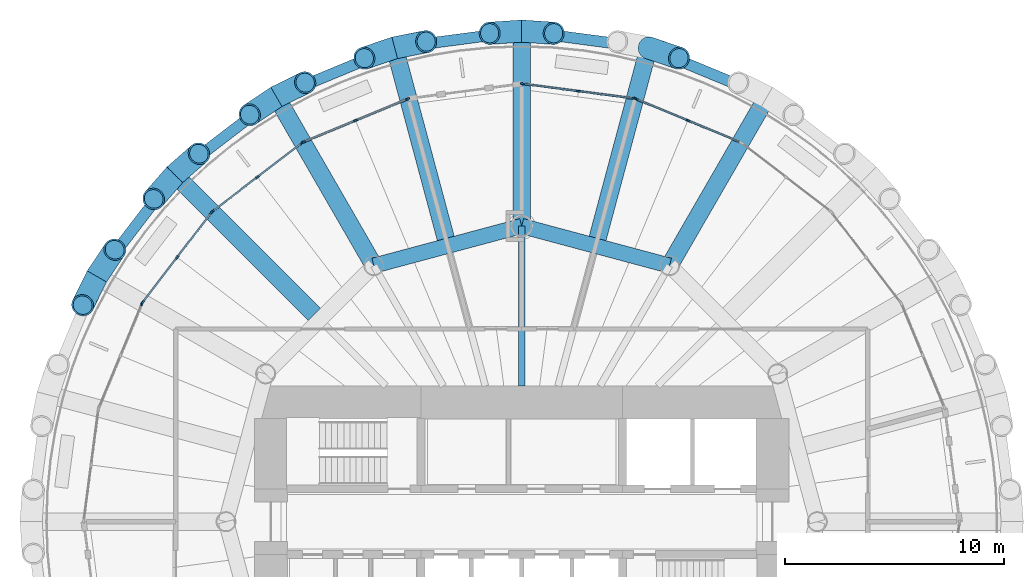
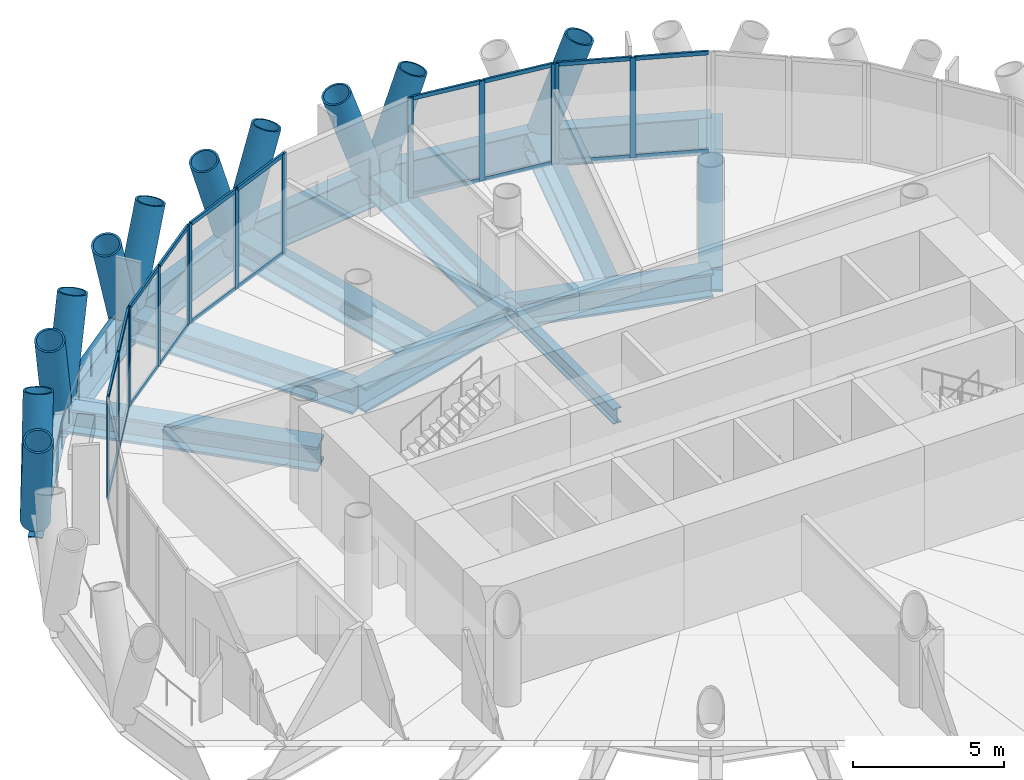
# One storey, part 5 of 13: 46 members, 15 beams, 6 elements without a shape of their own.
"""IFC4 building model written with IfcOpenShell, lengths in metres."""

from ifc_helpers import new_model, si_unit, direction, frame, origin, origin_2d, place, context, subcontext, project, spatial, rectangle, hollow_circle, i_section, extrude, material, material_profile, profile_set, type_object, element, aggregate, save


model = new_model("IFC4")

# Units and contexts
model_context = context("Model", 3, precision=1e-05, world=origin(), true_north=direction((0.0, 1.0)))
body_context = subcontext(model_context, "Body", "Model", "MODEL_VIEW")
ifc_project = project(units=[si_unit("LENGTHUNIT", "METRE"), si_unit("AREAUNIT", "SQUARE_METRE"), si_unit("VOLUMEUNIT", "CUBIC_METRE"), si_unit("PLANEANGLEUNIT", "RADIAN"), si_unit("MASSUNIT", "GRAM", prefix="KILO")], contexts=[model_context])

# Site, building, storey
site_placement = place(None, origin())
site = spatial("IfcSite", under=ifc_project, at=site_placement, CompositionType="ELEMENT")
building_placement = place(site_placement, origin())
building = spatial("IfcBuilding", under=site, at=building_placement, Name="Qaws Media Tower", CompositionType="ELEMENT")
storey_placement = place(building_placement, frame((0.0, 0.0, 244.39990234375)))
storey = spatial("IfcBuildingStorey", under=building, at=storey_placement, Name="L56", CompositionType="ELEMENT", Elevation=244.39990234375)

# Curtain wall, members
ifc_material_1 = material(Name="Aluminium and clear glass", Category="aluminium")
curtain_wall_type = type_object("IfcCurtainWallType", Name="Unitised curtain wall CW-C", PredefinedType="NOTDEFINED", material=ifc_material_1)
curtain_wall_1_placement = place(storey_placement, origin())
curtain_wall_1 = element("IfcCurtainWall", 1, at=curtain_wall_1_placement, inside=storey, type_object=curtain_wall_type, Name="CWC curtain wall L56-05", PredefinedType="NOTDEFINED")
ifc_material_2 = material(Name="Aluminium mullion", Category="aluminium")
ifc_material_profile_1 = material_profile(ifc_material_2, rectangle(XDim=0.080078125, YDim=0.199951171875, at=origin_2d()), Name="80x200")
ifc_profile_set_1 = profile_set([ifc_material_profile_1], Name="Aluminium mullion")
member_type_1 = type_object("IfcMemberType", Name="Curtain wall mullion 80x200", PredefinedType="MULLION", material=ifc_profile_set_1)
member_1_placement = place(storey_placement, frame((67.588134765625, 68.319580078125, 0.0), z_axis=(0.0, 0.0, 1.0), x_axis=(-0.382683528904, -0.923879492524, 0.0)))
member_1 = element("IfcMember", 2, at=member_1_placement, type_object=member_type_1, Name="CWC mullion 2", PredefinedType="MULLION", context=body_context, shape_type="SweptSolid", body=[
    extrude(rectangle(XDim=0.080078125, YDim=0.199951171875, at=origin_2d()), origin(), (0.0, 0.0, 1.0), 4.0400390625),
])
member_2_placement = place(storey_placement, frame((65.21337890625, 69.30322265625, 0.0), z_axis=(0.0, 0.0, 1.0), x_axis=(-0.382683528904, -0.923879492524, 0.0)))
member_2 = element("IfcMember", 3, at=member_2_placement, type_object=member_type_1, Name="CWC mullion 3", PredefinedType="MULLION", context=body_context, shape_type="SweptSolid", body=[
    extrude(rectangle(XDim=0.080078125, YDim=0.199951171875, at=origin_2d()), origin(), (0.0, 0.0, 1.0), 4.0400390625),
])

curtain_wall_2_placement = place(storey_placement, origin())
curtain_wall_2 = element("IfcCurtainWall", 4, at=curtain_wall_2_placement, inside=storey, type_object=curtain_wall_type, Name="CWC curtain wall L56-06", PredefinedType="NOTDEFINED")
member_3_placement = place(storey_placement, frame((65.13671875, 69.32373046875, 0.0), z_axis=(0.0, 0.0, 1.0), x_axis=(-0.130526100509, -0.991444873448, 0.0)))
member_3 = element("IfcMember", 5, at=member_3_placement, type_object=member_type_1, Name="CWC mullion 1", PredefinedType="MULLION", context=body_context, shape_type="SweptSolid", body=[
    extrude(rectangle(XDim=0.080078125, YDim=0.199951171875, at=origin_2d()), origin(), (0.0, 0.0, 1.0), 4.0400390625),
])
member_4_placement = place(storey_placement, frame((62.588134765625, 69.6591796875, 0.0), z_axis=(0.0, 0.0, 1.0), x_axis=(-0.130526100509, -0.991444873448, 0.0)))
member_4 = element("IfcMember", 6, at=member_4_placement, type_object=member_type_1, Name="CWC mullion 2", PredefinedType="MULLION", context=body_context, shape_type="SweptSolid", body=[
    extrude(rectangle(XDim=0.080078125, YDim=0.199951171875, at=origin_2d()), origin(), (0.0, 0.0, 1.0), 4.0400390625),
])
member_5_placement = place(storey_placement, frame((60.03955078125, 69.994873046875, 0.0), z_axis=(0.0, 0.0, 1.0), x_axis=(-0.130526100509, -0.991444873448, 0.0)))
member_5 = element("IfcMember", 7, at=member_5_placement, type_object=member_type_1, Name="CWC mullion 3", PredefinedType="MULLION", context=body_context, shape_type="SweptSolid", body=[
    extrude(rectangle(XDim=0.080078125, YDim=0.199951171875, at=origin_2d()), origin(), (0.0, 0.0, 1.0), 4.0400390625),
])

curtain_wall_3_placement = place(storey_placement, origin())
curtain_wall_3 = element("IfcCurtainWall", 8, at=curtain_wall_3_placement, inside=storey, type_object=curtain_wall_type, Name="CWC curtain wall L56-08", PredefinedType="NOTDEFINED")
member_6_placement = place(storey_placement, frame((54.78662109375, 69.30322265625, 0.0), z_axis=(0.0, 0.0, 1.0), x_axis=(0.382683528904, -0.923879492524, 0.0)))
member_6 = element("IfcMember", 9, at=member_6_placement, type_object=member_type_1, Name="CWC mullion 1", PredefinedType="MULLION", context=body_context, shape_type="SweptSolid", body=[
    extrude(rectangle(XDim=0.080078125, YDim=0.199951171875, at=origin_2d()), origin(), (0.0, 0.0, 1.0), 4.0400390625),
])
member_7_placement = place(storey_placement, frame((52.411865234375, 68.319580078125, 0.0), z_axis=(0.0, 0.0, 1.0), x_axis=(0.382683528904, -0.923879492524, 0.0)))
member_7 = element("IfcMember", 10, at=member_7_placement, type_object=member_type_1, Name="CWC mullion 2", PredefinedType="MULLION", context=body_context, shape_type="SweptSolid", body=[
    extrude(rectangle(XDim=0.080078125, YDim=0.199951171875, at=origin_2d()), origin(), (0.0, 0.0, 1.0), 4.0400390625),
])
member_8_placement = place(storey_placement, frame((50.036865234375, 67.335693359375, 0.0), z_axis=(0.0, 0.0, 1.0), x_axis=(0.382683528904, -0.923879492524, 0.0)))
member_8 = element("IfcMember", 11, at=member_8_placement, type_object=member_type_1, Name="CWC mullion 3", PredefinedType="MULLION", context=body_context, shape_type="SweptSolid", body=[
    extrude(rectangle(XDim=0.080078125, YDim=0.199951171875, at=origin_2d()), origin(), (0.0, 0.0, 1.0), 4.0400390625),
])

curtain_wall_4_placement = place(storey_placement, origin())
curtain_wall_4 = element("IfcCurtainWall", 12, at=curtain_wall_4_placement, inside=storey, type_object=curtain_wall_type, Name="CWC curtain wall L56-09", PredefinedType="NOTDEFINED")
member_9_placement = place(storey_placement, frame((49.96826171875, 67.296142578125, 0.0), z_axis=(0.0, 0.0, 1.0), x_axis=(0.608761339712, -0.793353408811, 0.0)))
member_9 = element("IfcMember", 13, at=member_9_placement, type_object=member_type_1, Name="CWC mullion 1", PredefinedType="MULLION", context=body_context, shape_type="SweptSolid", body=[
    extrude(rectangle(XDim=0.080078125, YDim=0.199951171875, at=origin_2d()), origin(), (0.0, 0.0, 1.0), 4.0400390625),
])
member_10_placement = place(storey_placement, frame((47.928955078125, 65.731201171875, 0.0), z_axis=(0.0, 0.0, 1.0), x_axis=(0.608761339712, -0.793353408811, 0.0)))
member_10 = element("IfcMember", 14, at=member_10_placement, type_object=member_type_1, Name="CWC mullion 2", PredefinedType="MULLION", context=body_context, shape_type="SweptSolid", body=[
    extrude(rectangle(XDim=0.080078125, YDim=0.199951171875, at=origin_2d()), origin(), (0.0, 0.0, 1.0), 4.0400390625),
])
member_11_placement = place(storey_placement, frame((45.8896484375, 64.16650390625, 0.0), z_axis=(0.0, 0.0, 1.0), x_axis=(0.608761339712, -0.793353408811, 0.0)))
member_11 = element("IfcMember", 15, at=member_11_placement, type_object=member_type_1, Name="CWC mullion 3", PredefinedType="MULLION", context=body_context, shape_type="SweptSolid", body=[
    extrude(rectangle(XDim=0.080078125, YDim=0.199951171875, at=origin_2d()), origin(), (0.0, 0.0, 1.0), 4.0400390625),
])

curtain_wall_5_placement = place(storey_placement, origin())
curtain_wall_5 = element("IfcCurtainWall", 16, at=curtain_wall_5_placement, inside=storey, type_object=curtain_wall_type, Name="CWC curtain wall L56-10", PredefinedType="NOTDEFINED")
member_12_placement = place(storey_placement, frame((45.83349609375, 64.1103515625, 0.0), z_axis=(0.0, 0.0, 1.0), x_axis=(0.793353408811, -0.608761339712, 0.0)))
member_12 = element("IfcMember", 17, at=member_12_placement, type_object=member_type_1, Name="CWC mullion 1", PredefinedType="MULLION", context=body_context, shape_type="SweptSolid", body=[
    extrude(rectangle(XDim=0.080078125, YDim=0.199951171875, at=origin_2d()), origin(), (0.0, 0.0, 1.0), 4.0400390625),
])
member_13_placement = place(storey_placement, frame((44.268798828125, 62.071044921875, 0.0), z_axis=(0.0, 0.0, 1.0), x_axis=(0.793353408811, -0.608761339712, 0.0)))
member_13 = element("IfcMember", 18, at=member_13_placement, type_object=member_type_1, Name="CWC mullion 2", PredefinedType="MULLION", context=body_context, shape_type="SweptSolid", body=[
    extrude(rectangle(XDim=0.080078125, YDim=0.199951171875, at=origin_2d()), origin(), (0.0, 0.0, 1.0), 4.0400390625),
])
member_14_placement = place(storey_placement, frame((42.703857421875, 60.03173828125, 0.0), z_axis=(0.0, 0.0, 1.0), x_axis=(0.793353408811, -0.608761339712, 0.0)))
member_14 = element("IfcMember", 19, at=member_14_placement, type_object=member_type_1, Name="CWC mullion 3", PredefinedType="MULLION", context=body_context, shape_type="SweptSolid", body=[
    extrude(rectangle(XDim=0.080078125, YDim=0.199951171875, at=origin_2d()), origin(), (0.0, 0.0, 1.0), 4.0400390625),
])

# Curtain wall, member
curtain_wall_6_placement = place(storey_placement, origin())
curtain_wall_6 = element("IfcCurtainWall", 20, at=curtain_wall_6_placement, inside=storey, type_object=curtain_wall_type, Name="CWC curtain wall L56-11", PredefinedType="NOTDEFINED")
member_15_placement = place(storey_placement, frame((42.664306640625, 59.963134765625, 0.0), z_axis=(0.0, 0.0, 1.0), x_axis=(0.923879492524, -0.382683528904, 0.0)))
member_15 = element("IfcMember", 21, at=member_15_placement, type_object=member_type_1, Name="CWC mullion 1", PredefinedType="MULLION", context=body_context, shape_type="SweptSolid", body=[
    extrude(rectangle(XDim=0.080078125, YDim=0.199951171875, at=origin_2d()), origin(), (0.0, 0.0, 1.0), 4.0400390625),
])
aggregate(curtain_wall_6, [member_15])

# Member
ifc_material_3 = material(Name="Aluminium transom", Category="aluminium")
ifc_material_profile_2 = material_profile(ifc_material_3, rectangle(XDim=0.080078125, YDim=0.159912109375, at=origin_2d()), Name="80x160")
ifc_profile_set_2 = profile_set([ifc_material_profile_2], Name="Aluminium transom")
member_type_2 = type_object("IfcMemberType", Name="Curtain wall transom 80x160", PredefinedType="USERDEFINED", material=ifc_profile_set_2)
member_16_placement = place(storey_placement, frame((69.926025390625, 67.35107421875, 0.0400390625), z_axis=(-0.923863886655, 0.382721202621, 0.0), x_axis=(-0.382721202621, -0.923863886655, 0.0)))
member_16 = element("IfcMember", 22, at=member_16_placement, type_object=member_type_2, Name="CWC transom 1.1", ObjectType="TRANSOM", PredefinedType="USERDEFINED", context=body_context, shape_type="SweptSolid", body=[
    extrude(rectangle(XDim=0.080078125, YDim=0.159912109375, at=origin_2d()), origin(), (0.0, 0.0, 1.0), 2.490478515625),
])

member_17_placement = place(storey_placement, frame((69.926025390625, 67.35107421875, 4.0), z_axis=(-0.923863886655, 0.382721202621, 0.0), x_axis=(-0.382721202621, -0.923863886655, 0.0)))
member_17 = element("IfcMember", 23, at=member_17_placement, type_object=member_type_2, Name="CWC transom 1.2", ObjectType="TRANSOM", PredefinedType="USERDEFINED", context=body_context, shape_type="SweptSolid", body=[
    extrude(rectangle(XDim=0.080078125, YDim=0.159912109375, at=origin_2d()), origin(), (0.0, 0.0, 1.0), 2.490478515625),
])

member_18_placement = place(storey_placement, frame((67.55126953125, 68.334716796875, 0.0400390625), z_axis=(-0.923878244152, 0.382686542724, 0.0), x_axis=(-0.382686542724, -0.923878244152, 0.0)))
member_18 = element("IfcMember", 24, at=member_18_placement, type_object=member_type_2, Name="CWC transom 2.1", ObjectType="TRANSOM", PredefinedType="USERDEFINED", context=body_context, shape_type="SweptSolid", body=[
    extrude(rectangle(XDim=0.080078125, YDim=0.159912109375, at=origin_2d()), origin(), (0.0, 0.0, 1.0), 2.49072265625),
])

member_19_placement = place(storey_placement, frame((67.55126953125, 68.334716796875, 4.0), z_axis=(-0.923878244152, 0.382686542724, 0.0), x_axis=(-0.382686542724, -0.923878244152, 0.0)))
member_19 = element("IfcMember", 25, at=member_19_placement, type_object=member_type_2, Name="CWC transom 2.2", ObjectType="TRANSOM", PredefinedType="USERDEFINED", context=body_context, shape_type="SweptSolid", body=[
    extrude(rectangle(XDim=0.080078125, YDim=0.159912109375, at=origin_2d()), origin(), (0.0, 0.0, 1.0), 2.49072265625),
])

aggregate(curtain_wall_1, [member_1, member_2, member_16, member_17, member_18, member_19])

member_20_placement = place(storey_placement, frame((65.09716796875, 69.328857421875, 0.0400390625), z_axis=(-0.991438940777, 0.130571155736, 0.0), x_axis=(-0.130571155736, -0.991438940777, 0.0)))
member_20 = element("IfcMember", 26, at=member_20_placement, type_object=member_type_2, Name="CWC transom 1.1", ObjectType="TRANSOM", PredefinedType="USERDEFINED", context=body_context, shape_type="SweptSolid", body=[
    extrude(rectangle(XDim=0.080078125, YDim=0.159912109375, at=origin_2d()), origin(), (0.0, 0.0, 1.0), 2.490478515625),
])

member_21_placement = place(storey_placement, frame((65.09716796875, 69.328857421875, 4.0), z_axis=(-0.991438940777, 0.130571155736, 0.0), x_axis=(-0.130571155736, -0.991438940777, 0.0)))
member_21 = element("IfcMember", 27, at=member_21_placement, type_object=member_type_2, Name="CWC transom 1.2", ObjectType="TRANSOM", PredefinedType="USERDEFINED", context=body_context, shape_type="SweptSolid", body=[
    extrude(rectangle(XDim=0.080078125, YDim=0.159912109375, at=origin_2d()), origin(), (0.0, 0.0, 1.0), 2.490478515625),
])

member_22_placement = place(storey_placement, frame((62.548583984375, 69.66455078125, 0.0400390625), z_axis=(-0.9914516261, 0.130474798728, 0.0), x_axis=(-0.130474798728, -0.9914516261, 0.0)))
member_22 = element("IfcMember", 28, at=member_22_placement, type_object=member_type_2, Name="CWC transom 2.1", ObjectType="TRANSOM", PredefinedType="USERDEFINED", context=body_context, shape_type="SweptSolid", body=[
    extrude(rectangle(XDim=0.080078125, YDim=0.159912109375, at=origin_2d()), origin(), (0.0, 0.0, 1.0), 2.490478515625),
])

member_23_placement = place(storey_placement, frame((62.548583984375, 69.66455078125, 4.0), z_axis=(-0.9914516261, 0.130474798728, 0.0), x_axis=(-0.130474798728, -0.9914516261, 0.0)))
member_23 = element("IfcMember", 29, at=member_23_placement, type_object=member_type_2, Name="CWC transom 2.2", ObjectType="TRANSOM", PredefinedType="USERDEFINED", context=body_context, shape_type="SweptSolid", body=[
    extrude(rectangle(XDim=0.080078125, YDim=0.159912109375, at=origin_2d()), origin(), (0.0, 0.0, 1.0), 2.490478515625),
])

aggregate(curtain_wall_2, [member_3, member_4, member_5, member_20, member_21, member_22, member_23])

member_24_placement = place(storey_placement, frame((54.749755859375, 69.287841796875, 0.0400390625), z_axis=(-0.923878244152, -0.382686542724, 0.0), x_axis=(0.382686542724, -0.923878244152, 0.0)))
member_24 = element("IfcMember", 30, at=member_24_placement, type_object=member_type_2, Name="CWC transom 1.1", ObjectType="TRANSOM", PredefinedType="USERDEFINED", context=body_context, shape_type="SweptSolid", body=[
    extrude(rectangle(XDim=0.080078125, YDim=0.159912109375, at=origin_2d()), origin(), (0.0, 0.0, 1.0), 2.49072265625),
])

member_25_placement = place(storey_placement, frame((54.749755859375, 69.287841796875, 4.0), z_axis=(-0.923878244152, -0.382686542724, 0.0), x_axis=(0.382686542724, -0.923878244152, 0.0)))
member_25 = element("IfcMember", 31, at=member_25_placement, type_object=member_type_2, Name="CWC transom 1.2", ObjectType="TRANSOM", PredefinedType="USERDEFINED", context=body_context, shape_type="SweptSolid", body=[
    extrude(rectangle(XDim=0.080078125, YDim=0.159912109375, at=origin_2d()), origin(), (0.0, 0.0, 1.0), 2.49072265625),
])

member_26_placement = place(storey_placement, frame((52.374755859375, 68.30419921875, 0.0400390625), z_axis=(-0.923863886655, -0.382721202621, 0.0), x_axis=(0.382721202621, -0.923863886655, 0.0)))
member_26 = element("IfcMember", 32, at=member_26_placement, type_object=member_type_2, Name="CWC transom 2.1", ObjectType="TRANSOM", PredefinedType="USERDEFINED", context=body_context, shape_type="SweptSolid", body=[
    extrude(rectangle(XDim=0.080078125, YDim=0.159912109375, at=origin_2d()), origin(), (0.0, 0.0, 1.0), 2.490478515625),
])

member_27_placement = place(storey_placement, frame((52.374755859375, 68.30419921875, 4.0), z_axis=(-0.923863886655, -0.382721202621, 0.0), x_axis=(0.382721202621, -0.923863886655, 0.0)))
member_27 = element("IfcMember", 33, at=member_27_placement, type_object=member_type_2, Name="CWC transom 2.2", ObjectType="TRANSOM", PredefinedType="USERDEFINED", context=body_context, shape_type="SweptSolid", body=[
    extrude(rectangle(XDim=0.080078125, YDim=0.159912109375, at=origin_2d()), origin(), (0.0, 0.0, 1.0), 2.490478515625),
])

aggregate(curtain_wall_3, [member_6, member_7, member_8, member_24, member_25, member_26, member_27])

member_28_placement = place(storey_placement, frame((49.9365234375, 67.271728515625, 0.0400390625), z_axis=(-0.793352266217, -0.608762828767, 0.0), x_axis=(0.608762828767, -0.793352266217, 0.0)))
member_28 = element("IfcMember", 34, at=member_28_placement, type_object=member_type_2, Name="CWC transom 1.1", ObjectType="TRANSOM", PredefinedType="USERDEFINED", context=body_context, shape_type="SweptSolid", body=[
    extrude(rectangle(XDim=0.080078125, YDim=0.159912109375, at=origin_2d()), origin(), (0.0, 0.0, 1.0), 2.490478515625),
])

member_29_placement = place(storey_placement, frame((49.9365234375, 67.271728515625, 4.0), z_axis=(-0.793352266217, -0.608762828767, 0.0), x_axis=(0.608762828767, -0.793352266217, 0.0)))
member_29 = element("IfcMember", 35, at=member_29_placement, type_object=member_type_2, Name="CWC transom 1.2", ObjectType="TRANSOM", PredefinedType="USERDEFINED", context=body_context, shape_type="SweptSolid", body=[
    extrude(rectangle(XDim=0.080078125, YDim=0.159912109375, at=origin_2d()), origin(), (0.0, 0.0, 1.0), 2.490478515625),
])

member_30_placement = place(storey_placement, frame((47.897216796875, 65.70703125, 0.0400390625), z_axis=(-0.793352266217, -0.608762828767, 0.0), x_axis=(0.608762828767, -0.793352266217, 0.0)))
member_30 = element("IfcMember", 36, at=member_30_placement, type_object=member_type_2, Name="CWC transom 2.1", ObjectType="TRANSOM", PredefinedType="USERDEFINED", context=body_context, shape_type="SweptSolid", body=[
    extrude(rectangle(XDim=0.080078125, YDim=0.159912109375, at=origin_2d()), origin(), (0.0, 0.0, 1.0), 2.490478515625),
])

member_31_placement = place(storey_placement, frame((47.897216796875, 65.70703125, 4.0), z_axis=(-0.793352266217, -0.608762828767, 0.0), x_axis=(0.608762828767, -0.793352266217, 0.0)))
member_31 = element("IfcMember", 37, at=member_31_placement, type_object=member_type_2, Name="CWC transom 2.2", ObjectType="TRANSOM", PredefinedType="USERDEFINED", context=body_context, shape_type="SweptSolid", body=[
    extrude(rectangle(XDim=0.080078125, YDim=0.159912109375, at=origin_2d()), origin(), (0.0, 0.0, 1.0), 2.490478515625),
])

aggregate(curtain_wall_4, [member_9, member_10, member_11, member_28, member_29, member_30, member_31])

member_32_placement = place(storey_placement, frame((45.80908203125, 64.07861328125, 0.0400390625), z_axis=(-0.608762828767, -0.793352266217, 0.0), x_axis=(0.793352266217, -0.608762828767, 0.0)))
member_32 = element("IfcMember", 38, at=member_32_placement, type_object=member_type_2, Name="CWC transom 1.1", ObjectType="TRANSOM", PredefinedType="USERDEFINED", context=body_context, shape_type="SweptSolid", body=[
    extrude(rectangle(XDim=0.080078125, YDim=0.159912109375, at=origin_2d()), origin(), (0.0, 0.0, 1.0), 2.490478515625),
])

member_33_placement = place(storey_placement, frame((45.80908203125, 64.07861328125, 4.0), z_axis=(-0.608762828767, -0.793352266217, 0.0), x_axis=(0.793352266217, -0.608762828767, 0.0)))
member_33 = element("IfcMember", 39, at=member_33_placement, type_object=member_type_2, Name="CWC transom 1.2", ObjectType="TRANSOM", PredefinedType="USERDEFINED", context=body_context, shape_type="SweptSolid", body=[
    extrude(rectangle(XDim=0.080078125, YDim=0.159912109375, at=origin_2d()), origin(), (0.0, 0.0, 1.0), 2.490478515625),
])

member_34_placement = place(storey_placement, frame((44.244384765625, 62.039306640625, 0.0400390625), z_axis=(-0.608762828767, -0.793352266217, 0.0), x_axis=(0.793352266217, -0.608762828767, 0.0)))
member_34 = element("IfcMember", 40, at=member_34_placement, type_object=member_type_2, Name="CWC transom 2.1", ObjectType="TRANSOM", PredefinedType="USERDEFINED", context=body_context, shape_type="SweptSolid", body=[
    extrude(rectangle(XDim=0.080078125, YDim=0.159912109375, at=origin_2d()), origin(), (0.0, 0.0, 1.0), 2.490478515625),
])

member_35_placement = place(storey_placement, frame((44.244384765625, 62.039306640625, 4.0), z_axis=(-0.608762828767, -0.793352266217, 0.0), x_axis=(0.793352266217, -0.608762828767, 0.0)))
member_35 = element("IfcMember", 41, at=member_35_placement, type_object=member_type_2, Name="CWC transom 2.2", ObjectType="TRANSOM", PredefinedType="USERDEFINED", context=body_context, shape_type="SweptSolid", body=[
    extrude(rectangle(XDim=0.080078125, YDim=0.159912109375, at=origin_2d()), origin(), (0.0, 0.0, 1.0), 2.490478515625),
])

aggregate(curtain_wall_5, [member_12, member_13, member_14, member_32, member_33, member_34, member_35])

# Members
ifc_material_4 = material(Name="Steel S460", Category="steel")
ifc_material_profile_3 = material_profile(ifc_material_4, hollow_circle(Radius=0.508056640625, WallThickness=0.070068359375, at=origin_2d()), Name="CHS 1016x70")
ifc_profile_set_3 = profile_set([ifc_material_profile_3], Name="Steel S460")
member_type_3 = type_object("IfcMemberType", Name="Diagrid member CHS 1016x70", PredefinedType="USERDEFINED", material=ifc_profile_set_3)
for number, where, z_axis, x_axis, name in (
    (42, (65.797607421875, 71.63671875, -0.909912109375), (0.311700863625, -0.106315297208, 0.944213762447), (0.322819837953, 0.946460433523, 0.0), "DG3 diagrid L56 B06"),
    (43, (60.0, 72.39990234375, -0.909912109375), (-0.328605355286, -0.021954591968, 0.944212114077), (0.066662806817, -0.997775561029, 0.0), "DG3 diagrid L56 A07"),
    (44, (60.0, 72.39990234375, -0.909912109375), (0.328605355286, -0.021954591968, 0.944212114077), (0.066662806817, 0.997775561029, 0.0), "DG3 diagrid L56 B07"),
    (45, (54.202392578125, 71.63671875, -0.909912109375), (-0.311700863625, -0.106315297208, 0.944213762447), (0.322819837953, -0.946460433523, 0.0), "DG3 diagrid L56 A08"),
):
    element("IfcMember", number, at=place(storey_placement, frame(where, z_axis=z_axis, x_axis=x_axis)), inside=storey, type_object=member_type_3, Name=name, ObjectType="DIAGRID", PredefinedType="USERDEFINED", context=body_context, shape_type="SweptSolid", body=[
        extrude(hollow_circle(Radius=0.508056640625, WallThickness=0.070068359375, at=origin_2d()), origin(), (0.0, 0.0, 1.0), 4.447998046875),
    ])
for number, where, z_axis, x_axis, name in (
    (46, (54.202392578125, 71.63671875, -0.909912109375), (0.323114191577, 0.063832479158, 0.944204762647), (-0.193808199116, 0.981039439551, 0.0), "DG3 diagrid L56 B08"),
    (47, (48.800048828125, 69.39892578125, -0.909912109375), (-0.273605666565, -0.183373426679, 0.944200257155), (0.556736639669, -0.830689059787, 0.0), "DG3 diagrid L56 A09"),
):
    element("IfcMember", number, at=place(storey_placement, frame(where, z_axis=z_axis, x_axis=x_axis)), inside=storey, type_object=member_type_3, Name=name, ObjectType="DIAGRID", PredefinedType="USERDEFINED", context=body_context, shape_type="SweptSolid", body=[
        extrude(hollow_circle(Radius=0.508056640625, WallThickness=0.070068359375, at=origin_2d()), origin(), (0.0, 0.0, 1.0), 4.4482421875),
    ])
member_36_placement = place(storey_placement, frame((48.800048828125, 69.39892578125, -0.909912109375), z_axis=(0.295563398318, 0.145284366824, 0.944211168294), x_axis=(-0.441137050209, 0.897439748915, 0.0)))
element("IfcMember", 48, at=member_36_placement, inside=storey, type_object=member_type_3, Name="DG3 diagrid L56 B09", ObjectType="DIAGRID", PredefinedType="USERDEFINED", context=body_context, shape_type="SweptSolid", body=[
    extrude(hollow_circle(Radius=0.508056640625, WallThickness=0.070068359375, at=origin_2d()), origin(), (0.0, 0.0, 1.0), 4.447998046875),
])
for number, where, z_axis, x_axis, name in (
    (49, (44.160888671875, 65.839111328125, -0.909912109375), (-0.216853372267, -0.247918674394, 0.944198573301), (0.752690231252, -0.65837482924, 0.0), "DG3 diagrid L56 A10"),
    (50, (44.160888671875, 65.839111328125, -0.909912109375), (0.247918674394, 0.216853372267, 0.944198573301), (-0.65837482924, 0.752690231252, 0.0), "DG3 diagrid L56 B10"),
):
    element("IfcMember", number, at=place(storey_placement, frame(where, z_axis=z_axis, x_axis=x_axis)), inside=storey, type_object=member_type_3, Name=name, ObjectType="DIAGRID", PredefinedType="USERDEFINED", context=body_context, shape_type="SweptSolid", body=[
        extrude(hollow_circle(Radius=0.508056640625, WallThickness=0.070068359375, at=origin_2d()), origin(), (0.0, 0.0, 1.0), 4.4482421875),
    ])
member_37_placement = place(storey_placement, frame((40.60107421875, 61.199951171875, -0.909912109375), z_axis=(-0.145284366824, -0.295563398318, 0.944211168294), x_axis=(0.897439748915, -0.441137050209, 0.0)))
element("IfcMember", 51, at=member_37_placement, inside=storey, type_object=member_type_3, Name="DG3 diagrid L56 A11", ObjectType="DIAGRID", PredefinedType="USERDEFINED", context=body_context, shape_type="SweptSolid", body=[
    extrude(hollow_circle(Radius=0.508056640625, WallThickness=0.070068359375, at=origin_2d()), origin(), (0.0, 0.0, 1.0), 4.447998046875),
])
member_38_placement = place(storey_placement, frame((40.60107421875, 61.199951171875, -0.909912109375), z_axis=(0.183373426679, 0.273605666565, 0.944200257155), x_axis=(-0.830689059787, 0.556736639669, 0.0)))
element("IfcMember", 52, at=member_38_placement, inside=storey, type_object=member_type_3, Name="DG3 diagrid L56 B11", ObjectType="DIAGRID", PredefinedType="USERDEFINED", context=body_context, shape_type="SweptSolid", body=[
    extrude(hollow_circle(Radius=0.508056640625, WallThickness=0.070068359375, at=origin_2d()), origin(), (0.0, 0.0, 1.0), 4.4482421875),
])

# Beams
ifc_material_5 = material(Name="Steel S460", Category="steel")
ifc_material_profile_4 = material_profile(ifc_material_5, i_section(OverallWidth=0.5, OverallDepth=1.5, WebThickness=0.02001953125, FlangeThickness=0.0400390625, at=origin_2d()), Name="PG 1500x500")
ifc_profile_set_4 = profile_set([ifc_material_profile_4], Name="Steel S460")
beam_type_1 = type_object("IfcBeamType", Name="Edge ring beam PG 1500x500", PredefinedType="BEAM", material=ifc_profile_set_4)
beam_1_placement = place(storey_placement, frame((71.199951171875, 69.39892578125, -0.909912109375), z_axis=(-0.923875365447, 0.382693492394, 0.0), x_axis=(-0.382693492394, -0.923875365447, 0.0)))
element("IfcBeam", 53, at=beam_1_placement, inside=storey, type_object=beam_type_1, Name="RB4 edge ring beam L56-05", PredefinedType="BEAM", context=body_context, shape_type="SweptSolid", body=[
    extrude(i_section(OverallWidth=0.5, OverallDepth=1.5, WebThickness=0.02001953125, FlangeThickness=0.0400390625, at=origin_2d()), origin(), (0.0, 0.0, 1.0), 5.847412109375),
])
for number, where, z_axis, x_axis, name in (
    (54, (65.797607421875, 71.63671875, -0.909912109375), (-0.991446762334, 0.130511752182, 0.0), (-0.130511752182, -0.991446762334, 0.0), "RB4 edge ring beam L56-06"),
    (55, (60.0, 72.39990234375, -0.909912109375), (-0.991446762334, -0.130511752182, 0.0), (0.130511752182, -0.991446762334, 0.0), "RB4 edge ring beam L56-07"),
):
    element("IfcBeam", number, at=place(storey_placement, frame(where, z_axis=z_axis, x_axis=x_axis)), inside=storey, type_object=beam_type_1, Name=name, PredefinedType="BEAM", context=body_context, shape_type="SweptSolid", body=[
        extrude(i_section(OverallWidth=0.5, OverallDepth=1.5, WebThickness=0.02001953125, FlangeThickness=0.0400390625, at=origin_2d()), origin(), (0.0, 0.0, 1.0), 5.84765625),
    ])
beam_2_placement = place(storey_placement, frame((54.202392578125, 71.63671875, -0.909912109375), z_axis=(-0.923875365447, -0.382693492394, 0.0), x_axis=(0.382693492394, -0.923875365447, 0.0)))
element("IfcBeam", 56, at=beam_2_placement, inside=storey, type_object=beam_type_1, Name="RB4 edge ring beam L56-08", PredefinedType="BEAM", context=body_context, shape_type="SweptSolid", body=[
    extrude(i_section(OverallWidth=0.5, OverallDepth=1.5, WebThickness=0.02001953125, FlangeThickness=0.0400390625, at=origin_2d()), origin(), (0.0, 0.0, 1.0), 5.847412109375),
])
for number, where, z_axis, x_axis, name in (
    (57, (48.800048828125, 69.39892578125, -0.909912109375), (-0.793348247333, -0.608768066223, 0.0), (0.608768066223, -0.793348247333, 0.0), "RB4 edge ring beam L56-09"),
    (58, (44.160888671875, 65.839111328125, -0.909912109375), (-0.608768066223, -0.793348247333, 0.0), (0.793348247333, -0.608768066223, 0.0), "RB4 edge ring beam L56-10"),
):
    element("IfcBeam", number, at=place(storey_placement, frame(where, z_axis=z_axis, x_axis=x_axis)), inside=storey, type_object=beam_type_1, Name=name, PredefinedType="BEAM", context=body_context, shape_type="SweptSolid", body=[
        extrude(i_section(OverallWidth=0.5, OverallDepth=1.5, WebThickness=0.02001953125, FlangeThickness=0.0400390625, at=origin_2d()), origin(), (0.0, 0.0, 1.0), 5.84765625),
    ])
ifc_material_6 = material(Name="Steel S460", Category="steel")
ifc_material_profile_5 = material_profile(ifc_material_6, i_section(OverallWidth=0.699951171875, OverallDepth=1.0, WebThickness=0.034912109375, FlangeThickness=0.090087890625, at=origin_2d()), Name="PG 1000x700")
ifc_profile_set_5 = profile_set([ifc_material_profile_5], Name="Steel S460")
beam_type_2 = type_object("IfcBeamType", Name="Inner ring girder PG 1000x700", PredefinedType="BEAM", material=ifc_profile_set_5)
for number, where, z_axis, x_axis, name in (
    (59, (66.75, 61.69140625, -0.659912109375), (-0.965928090778, 0.258810593767, 0.0), (-0.258810593767, -0.965928090778, 0.0), "B3 inner ring beam L56 I03-I04"),
    (60, (60.0, 63.5, -0.659912109375), (-0.965928090778, -0.258810593767, 0.0), (0.258810593767, -0.965928090778, 0.0), "B3 inner ring beam L56 I04-I05"),
):
    element("IfcBeam", number, at=place(storey_placement, frame(where, z_axis=z_axis, x_axis=x_axis)), inside=storey, type_object=beam_type_2, Name=name, PredefinedType="BEAM", context=body_context, shape_type="SweptSolid", body=[
        extrude(i_section(OverallWidth=0.699951171875, OverallDepth=1.0, WebThickness=0.034912109375, FlangeThickness=0.090087890625, at=origin_2d()), origin(), (0.0, 0.0, 1.0), 6.988037109375),
    ])
ifc_material_7 = material(Name="Steel S355", Category="steel")
ifc_material_profile_6 = material_profile(ifc_material_7, i_section(OverallWidth=0.304931640625, OverallDepth=0.6201171875, WebThickness=0.02099609375, FlangeThickness=0.0400390625, FilletRadius=0.027099609375, at=origin_2d()), Name="HE 600 M")
ifc_profile_set_6 = profile_set([ifc_material_profile_6], Name="Steel S355")
beam_type_3 = type_object("IfcBeamType", Name="Radial beam HE 600 M, core side", PredefinedType="BEAM", material=ifc_profile_set_6)
beam_3_placement = place(storey_placement, frame((60.0, 56.199951171875, -0.469970703125), z_axis=(0.0, 1.0, 0.0), x_axis=(-1.0, 0.0, 0.0)))
element("IfcBeam", 61, at=beam_3_placement, inside=storey, type_object=beam_type_3, Name="B2 radial beam L56 07", PredefinedType="BEAM", context=body_context, shape_type="SweptSolid", body=[
    extrude(i_section(OverallWidth=0.304931640625, OverallDepth=0.6201171875, WebThickness=0.02099609375, FlangeThickness=0.0400390625, FilletRadius=0.027099609375, at=origin_2d()), origin(), (0.0, 0.0, 1.0), 7.300048828125),
])
ifc_material_8 = material(Name="Steel S460", Category="steel")
ifc_material_profile_7 = material_profile(ifc_material_8, i_section(OverallWidth=0.800048828125, OverallDepth=1.0, WebThickness=0.0400390625, FlangeThickness=0.10009765625, at=origin_2d()), Name="PG 1000x800")
ifc_profile_set_7 = profile_set([ifc_material_profile_7], Name="Steel S460")
beam_type_4 = type_object("IfcBeamType", Name="Radial girder PG 1000x800", PredefinedType="BEAM", material=ifc_profile_set_7)
beam_4_placement = place(storey_placement, frame((66.75, 61.69140625, -0.659912109375), z_axis=(0.500001069878, 0.866024786089, 0.0), x_axis=(-0.866024786089, 0.500001069878, 0.0)))
element("IfcBeam", 62, at=beam_4_placement, inside=storey, type_object=beam_type_4, Name="B1 radial beam L56 05", PredefinedType="BEAM", context=body_context, shape_type="SweptSolid", body=[
    extrude(i_section(OverallWidth=0.800048828125, OverallDepth=1.0, WebThickness=0.0400390625, FlangeThickness=0.10009765625, at=origin_2d()), origin(), (0.0, 0.0, 1.0), 8.89990234375),
])
beam_5_placement = place(storey_placement, frame((63.465576171875, 62.933837890625, -0.659912109375), z_axis=(0.258829540486, 0.965923013998, 0.0), x_axis=(-0.965923013998, 0.258829540486, 0.0)))
element("IfcBeam", 63, at=beam_5_placement, inside=storey, type_object=beam_type_4, Name="B1 radial beam L56 06", PredefinedType="BEAM", context=body_context, shape_type="SweptSolid", body=[
    extrude(i_section(OverallWidth=0.800048828125, OverallDepth=1.0, WebThickness=0.0400390625, FlangeThickness=0.10009765625, at=origin_2d()), origin(), (0.0, 0.0, 1.0), 9.010009765625),
])
beam_6_placement = place(storey_placement, frame((60.0, 63.5, -0.659912109375), z_axis=(0.0, 1.0, 0.0), x_axis=(-1.0, 0.0, 0.0)))
element("IfcBeam", 64, at=beam_6_placement, inside=storey, type_object=beam_type_4, Name="B1 radial beam L56 07", PredefinedType="BEAM", context=body_context, shape_type="SweptSolid", body=[
    extrude(i_section(OverallWidth=0.800048828125, OverallDepth=1.0, WebThickness=0.0400390625, FlangeThickness=0.10009765625, at=origin_2d()), origin(), (0.0, 0.0, 1.0), 8.89990234375),
])
beam_7_placement = place(storey_placement, frame((56.534423828125, 62.933837890625, -0.659912109375), z_axis=(-0.258829540486, 0.965923013998, 0.0), x_axis=(-0.965923013998, -0.258829540486, 0.0)))
element("IfcBeam", 65, at=beam_7_placement, inside=storey, type_object=beam_type_4, Name="B1 radial beam L56 08", PredefinedType="BEAM", context=body_context, shape_type="SweptSolid", body=[
    extrude(i_section(OverallWidth=0.800048828125, OverallDepth=1.0, WebThickness=0.0400390625, FlangeThickness=0.10009765625, at=origin_2d()), origin(), (0.0, 0.0, 1.0), 9.010009765625),
])
beam_8_placement = place(storey_placement, frame((53.25, 61.69140625, -0.659912109375), z_axis=(-0.500001069878, 0.866024786089, 0.0), x_axis=(-0.866024786089, -0.500001069878, 0.0)))
element("IfcBeam", 66, at=beam_8_placement, inside=storey, type_object=beam_type_4, Name="B1 radial beam L56 09", PredefinedType="BEAM", context=body_context, shape_type="SweptSolid", body=[
    extrude(i_section(OverallWidth=0.800048828125, OverallDepth=1.0, WebThickness=0.0400390625, FlangeThickness=0.10009765625, at=origin_2d()), origin(), (0.0, 0.0, 1.0), 8.89990234375),
])
beam_9_placement = place(storey_placement, frame((50.53173828125, 59.46826171875, -0.659912109375), z_axis=(-0.707106781187, 0.707106781187, 0.0), x_axis=(-0.707106781187, -0.707106781187, 0.0)))
element("IfcBeam", 67, at=beam_9_placement, inside=storey, type_object=beam_type_4, Name="B1 radial beam L56 10", PredefinedType="BEAM", context=body_context, shape_type="SweptSolid", body=[
    extrude(i_section(OverallWidth=0.800048828125, OverallDepth=1.0, WebThickness=0.0400390625, FlangeThickness=0.10009765625, at=origin_2d()), origin(), (0.0, 0.0, 1.0), 9.009765625),
])

save(model, "model.ifc")
